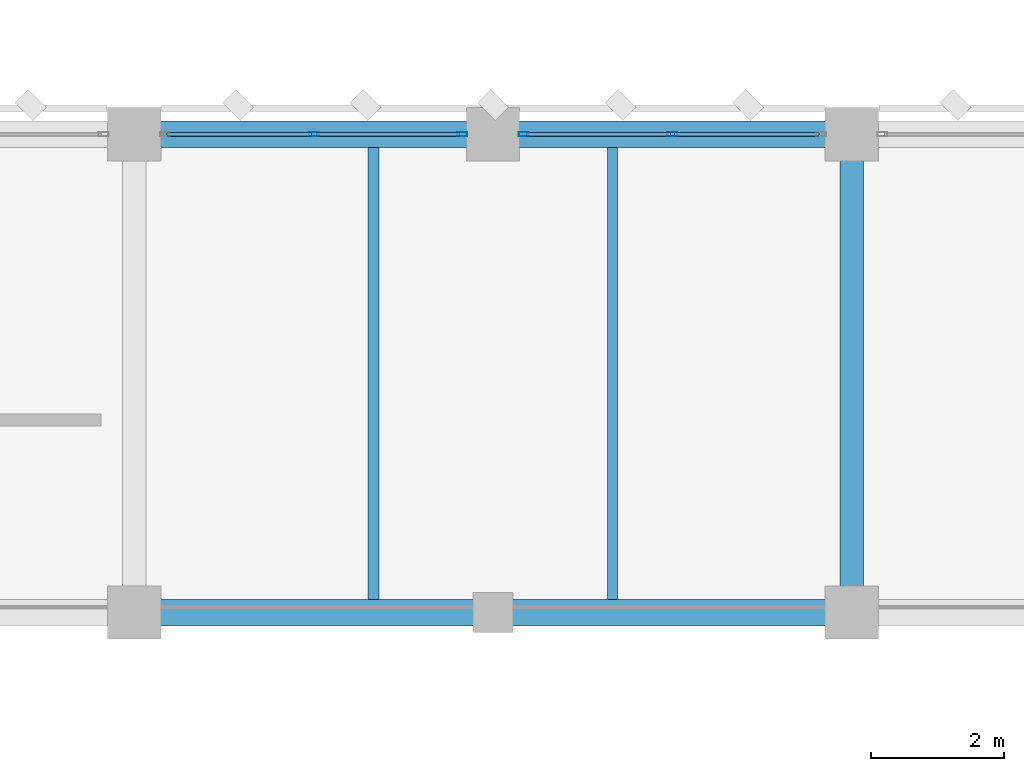
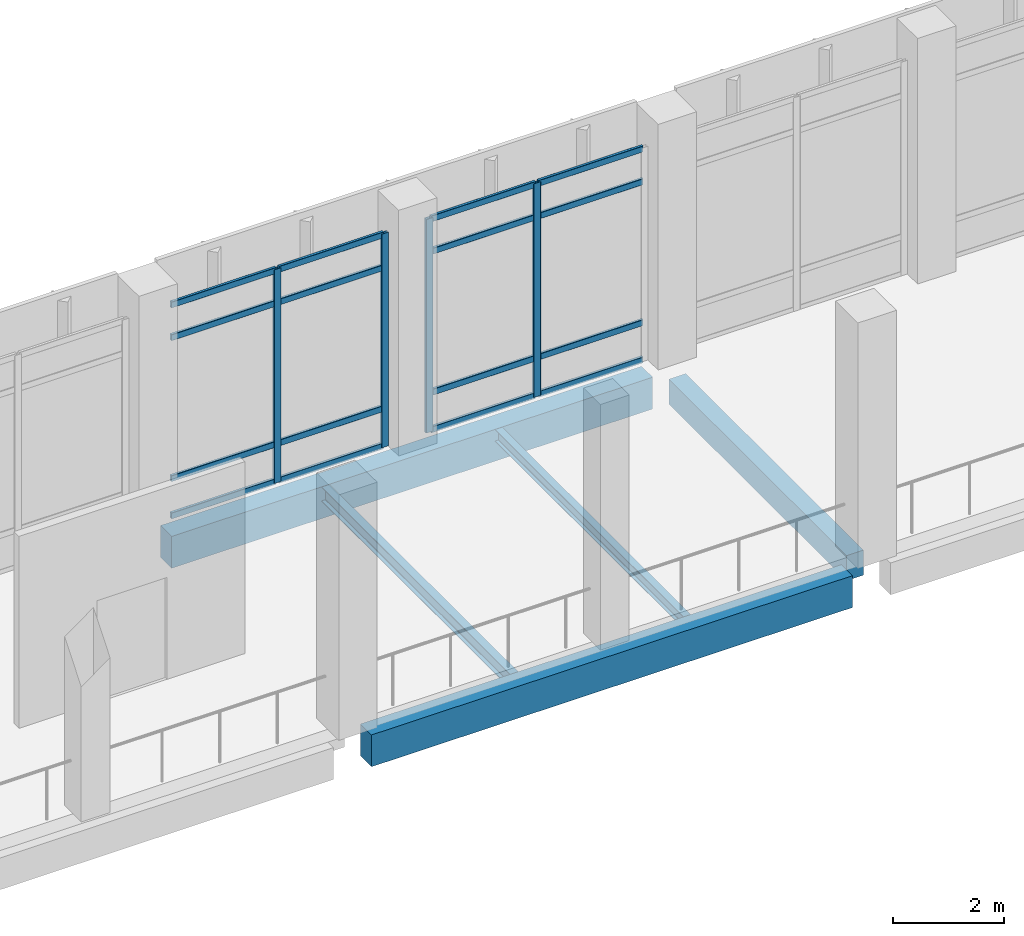
# One storey, part 30 of 180: 20 members, 5 beams, 2 elements without a shape of their own.
"""IFC4 building model written with IfcOpenShell, lengths in metres."""

from ifc_helpers import new_model, si_unit, direction, frame, origin, origin_2d, place, context, subcontext, project, spatial, rectangle, hollow_rectangle, i_section, extrude, material, material_profile, profile_set, type_object, element, aggregate, save


model = new_model("IFC4")

# Units and contexts
model_context = context("Model", 3, precision=1e-05, world=origin(), true_north=direction((0.0, 1.0)))
body_context = subcontext(model_context, "Body", "Model", "MODEL_VIEW")
ifc_project = project(units=[si_unit("LENGTHUNIT", "METRE"), si_unit("AREAUNIT", "SQUARE_METRE"), si_unit("VOLUMEUNIT", "CUBIC_METRE"), si_unit("PLANEANGLEUNIT", "RADIAN"), si_unit("MASSUNIT", "GRAM", prefix="KILO")], contexts=[model_context])

# Site, building, storey
site_placement = place(None, origin())
site = spatial("IfcSite", under=ifc_project, at=site_placement, CompositionType="ELEMENT")
building_placement = place(site_placement, origin())
building = spatial("IfcBuilding", under=site, at=building_placement, Name="Lusvemor Sports Hall", CompositionType="ELEMENT")
storey_placement = place(building_placement, frame((0.0, 0.0, 5.39990234375)))
storey = spatial("IfcBuildingStorey", under=building, at=storey_placement, Name="L01", CompositionType="ELEMENT", Elevation=5.39990234375)

# Beam
ifc_material_1 = material(Name="Concrete C40/50", Category="concrete")
ifc_material_profile_1 = material_profile(ifc_material_1, rectangle(XDim=0.35009765625, YDim=0.550048828125, at=origin_2d()), Name="RC350x550")
ifc_profile_set_1 = profile_set([ifc_material_profile_1], Name="Concrete C40/50")
beam_type_1 = type_object("IfcBeamType", Name="BEAM_RC_550", PredefinedType="BEAM", material=ifc_profile_set_1)
beam_1_placement = place(storey_placement, frame((54.0, 39.99609375, -0.554931640625), z_axis=(0.0, 1.0, 0.0), x_axis=(-1.0, 0.0, 0.0)))
element("IfcBeam", 1, at=beam_1_placement, inside=storey, type_object=beam_type_1, Name="Beam L01 6:E-F", PredefinedType="BEAM", context=body_context, shape_type="SweptSolid", body=[
    extrude(rectangle(XDim=0.35009765625, YDim=0.550048828125, at=origin_2d()), origin(), (0.0, 0.0, 1.0), 6.407958984375),
])

# Curtain wall, members
ifc_material_2 = material(Name="Thermally broken bronze-anodized aluminium", Category="aluminium")
curtain_wall_type = type_object("IfcCurtainWallType", Name="CW_COURT_C", PredefinedType="NOTDEFINED", material=ifc_material_2)
curtain_wall_1_placement = place(storey_placement, origin())
curtain_wall_1 = element("IfcCurtainWall", 2, at=curtain_wall_1_placement, inside=storey, type_object=curtain_wall_type, Name="Curtain Wall CW-V1N-L01-4-A", PredefinedType="NOTDEFINED")
ifc_material_3 = material(Name="Thermally broken bronze-anodized aluminium", Category="aluminium")
ifc_material_profile_2 = material_profile(ifc_material_3, hollow_rectangle(XDim=0.06494140625, YDim=0.14990234375, WallThickness=0.00390625, InnerFilletRadius=0.00390625, OuterFilletRadius=0.008056640625, at=origin_2d()), Name="CWMUL150x65x4")
ifc_profile_set_2 = profile_set([ifc_material_profile_2], Name="Thermally broken bronze-anodized aluminium")
member_type_1 = type_object("IfcMemberType", Name="CW_MUL_B", PredefinedType="MULLION", material=ifc_profile_set_2)
member_1_placement = place(storey_placement, frame((45.89990234375, 46.800048828125, 0.0), z_axis=(0.0, 0.0, 1.0), x_axis=(0.0, 1.0, 0.0)))
member_1 = element("IfcMember", 3, at=member_1_placement, type_object=member_type_1, Name="CW03 mullion 2", PredefinedType="MULLION", context=body_context, shape_type="SweptSolid", body=[
    extrude(hollow_rectangle(XDim=0.06494140625, YDim=0.14990234375, WallThickness=0.00390625, InnerFilletRadius=0.00390625, OuterFilletRadius=0.008056640625, at=origin_2d()), origin(), (0.0, 0.0, 1.0), 4.7001953125),
])
member_2_placement = place(storey_placement, frame((48.137451171875, 46.800048828125, 0.0), z_axis=(0.0, 0.0, 1.0), x_axis=(0.0, 1.0, 0.0)))
member_2 = element("IfcMember", 4, at=member_2_placement, type_object=member_type_1, Name="CW03 mullion 3", PredefinedType="MULLION", context=body_context, shape_type="SweptSolid", body=[
    extrude(hollow_rectangle(XDim=0.06494140625, YDim=0.14990234375, WallThickness=0.00390625, InnerFilletRadius=0.00390625, OuterFilletRadius=0.008056640625, at=origin_2d()), origin(), (0.0, 0.0, 1.0), 4.7001953125),
])

curtain_wall_2_placement = place(storey_placement, origin())
curtain_wall_2 = element("IfcCurtainWall", 5, at=curtain_wall_2_placement, inside=storey, type_object=curtain_wall_type, Name="Curtain Wall CW-V1N-L01-4-B", PredefinedType="NOTDEFINED")
member_3_placement = place(storey_placement, frame((49.0625, 46.800048828125, 0.0), z_axis=(0.0, 0.0, 1.0), x_axis=(0.0, 1.0, 0.0)))
member_3 = element("IfcMember", 6, at=member_3_placement, type_object=member_type_1, Name="CW03 mullion 1", PredefinedType="MULLION", context=body_context, shape_type="SweptSolid", body=[
    extrude(hollow_rectangle(XDim=0.06494140625, YDim=0.14990234375, WallThickness=0.00390625, InnerFilletRadius=0.00390625, OuterFilletRadius=0.008056640625, at=origin_2d()), origin(), (0.0, 0.0, 1.0), 4.7001953125),
])
member_4_placement = place(storey_placement, frame((51.300048828125, 46.800048828125, 0.0), z_axis=(0.0, 0.0, 1.0), x_axis=(0.0, 1.0, 0.0)))
member_4 = element("IfcMember", 7, at=member_4_placement, type_object=member_type_1, Name="CW03 mullion 2", PredefinedType="MULLION", context=body_context, shape_type="SweptSolid", body=[
    extrude(hollow_rectangle(XDim=0.06494140625, YDim=0.14990234375, WallThickness=0.00390625, InnerFilletRadius=0.00390625, OuterFilletRadius=0.008056640625, at=origin_2d()), origin(), (0.0, 0.0, 1.0), 4.7001953125),
])

# Member
ifc_material_4 = material(Name="Thermally broken bronze-anodized aluminium", Category="aluminium")
ifc_material_profile_3 = material_profile(ifc_material_4, hollow_rectangle(XDim=0.06005859375, YDim=0.135009765625, WallThickness=0.00390625, InnerFilletRadius=0.00390625, OuterFilletRadius=0.008056640625, at=origin_2d()), Name="CWTRN135x60x4")
ifc_profile_set_3 = profile_set([ifc_material_profile_3], Name="Thermally broken bronze-anodized aluminium")
member_type_2 = type_object("IfcMemberType", Name="CW_TRN_B", PredefinedType="USERDEFINED", material=ifc_profile_set_3)
member_5_placement = place(storey_placement, frame((43.695068359375, 46.800048828125, 0.030029296875), z_axis=(1.0, 0.0, 0.0), x_axis=(0.0, 1.0, 0.0)))
member_5 = element("IfcMember", 8, at=member_5_placement, type_object=member_type_2, Name="CW03 transom 1.1", ObjectType="TRANSOM", PredefinedType="USERDEFINED", context=body_context, shape_type="SweptSolid", body=[
    extrude(hollow_rectangle(XDim=0.06005859375, YDim=0.135009765625, WallThickness=0.00390625, InnerFilletRadius=0.00390625, OuterFilletRadius=0.008056640625, at=origin_2d()), origin(), (0.0, 0.0, 1.0), 2.17236328125),
])

member_6_placement = place(storey_placement, frame((43.695068359375, 46.800048828125, 0.85009765625), z_axis=(1.0, 0.0, 0.0), x_axis=(0.0, 1.0, 0.0)))
member_6 = element("IfcMember", 9, at=member_6_placement, type_object=member_type_2, Name="CW03 transom 1.2", ObjectType="TRANSOM", PredefinedType="USERDEFINED", context=body_context, shape_type="SweptSolid", body=[
    extrude(hollow_rectangle(XDim=0.06005859375, YDim=0.135009765625, WallThickness=0.00390625, InnerFilletRadius=0.00390625, OuterFilletRadius=0.008056640625, at=origin_2d()), origin(), (0.0, 0.0, 1.0), 2.17236328125),
])

member_7_placement = place(storey_placement, frame((43.695068359375, 46.800048828125, 3.9501953125), z_axis=(1.0, 0.0, 0.0), x_axis=(0.0, 1.0, 0.0)))
member_7 = element("IfcMember", 10, at=member_7_placement, type_object=member_type_2, Name="CW03 transom 1.3", ObjectType="TRANSOM", PredefinedType="USERDEFINED", context=body_context, shape_type="SweptSolid", body=[
    extrude(hollow_rectangle(XDim=0.06005859375, YDim=0.135009765625, WallThickness=0.00390625, InnerFilletRadius=0.00390625, OuterFilletRadius=0.008056640625, at=origin_2d()), origin(), (0.0, 0.0, 1.0), 2.17236328125),
])

member_8_placement = place(storey_placement, frame((43.695068359375, 46.800048828125, 4.670166015625), z_axis=(1.0, 0.0, 0.0), x_axis=(0.0, 1.0, 0.0)))
member_8 = element("IfcMember", 11, at=member_8_placement, type_object=member_type_2, Name="CW03 transom 1.4", ObjectType="TRANSOM", PredefinedType="USERDEFINED", context=body_context, shape_type="SweptSolid", body=[
    extrude(hollow_rectangle(XDim=0.06005859375, YDim=0.135009765625, WallThickness=0.00390625, InnerFilletRadius=0.00390625, OuterFilletRadius=0.008056640625, at=origin_2d()), origin(), (0.0, 0.0, 1.0), 2.17236328125),
])

member_9_placement = place(storey_placement, frame((45.9326171875, 46.800048828125, 0.030029296875), z_axis=(1.0, 0.0, 0.0), x_axis=(0.0, 1.0, 0.0)))
member_9 = element("IfcMember", 12, at=member_9_placement, type_object=member_type_2, Name="CW03 transom 2.1", ObjectType="TRANSOM", PredefinedType="USERDEFINED", context=body_context, shape_type="SweptSolid", body=[
    extrude(hollow_rectangle(XDim=0.06005859375, YDim=0.135009765625, WallThickness=0.00390625, InnerFilletRadius=0.00390625, OuterFilletRadius=0.008056640625, at=origin_2d()), origin(), (0.0, 0.0, 1.0), 2.17236328125),
])

member_10_placement = place(storey_placement, frame((45.9326171875, 46.800048828125, 0.85009765625), z_axis=(1.0, 0.0, 0.0), x_axis=(0.0, 1.0, 0.0)))
member_10 = element("IfcMember", 13, at=member_10_placement, type_object=member_type_2, Name="CW03 transom 2.2", ObjectType="TRANSOM", PredefinedType="USERDEFINED", context=body_context, shape_type="SweptSolid", body=[
    extrude(hollow_rectangle(XDim=0.06005859375, YDim=0.135009765625, WallThickness=0.00390625, InnerFilletRadius=0.00390625, OuterFilletRadius=0.008056640625, at=origin_2d()), origin(), (0.0, 0.0, 1.0), 2.17236328125),
])

member_11_placement = place(storey_placement, frame((45.9326171875, 46.800048828125, 3.9501953125), z_axis=(1.0, 0.0, 0.0), x_axis=(0.0, 1.0, 0.0)))
member_11 = element("IfcMember", 14, at=member_11_placement, type_object=member_type_2, Name="CW03 transom 2.3", ObjectType="TRANSOM", PredefinedType="USERDEFINED", context=body_context, shape_type="SweptSolid", body=[
    extrude(hollow_rectangle(XDim=0.06005859375, YDim=0.135009765625, WallThickness=0.00390625, InnerFilletRadius=0.00390625, OuterFilletRadius=0.008056640625, at=origin_2d()), origin(), (0.0, 0.0, 1.0), 2.17236328125),
])

member_12_placement = place(storey_placement, frame((45.9326171875, 46.800048828125, 4.670166015625), z_axis=(1.0, 0.0, 0.0), x_axis=(0.0, 1.0, 0.0)))
member_12 = element("IfcMember", 15, at=member_12_placement, type_object=member_type_2, Name="CW03 transom 2.4", ObjectType="TRANSOM", PredefinedType="USERDEFINED", context=body_context, shape_type="SweptSolid", body=[
    extrude(hollow_rectangle(XDim=0.06005859375, YDim=0.135009765625, WallThickness=0.00390625, InnerFilletRadius=0.00390625, OuterFilletRadius=0.008056640625, at=origin_2d()), origin(), (0.0, 0.0, 1.0), 2.17236328125),
])

aggregate(curtain_wall_1, [member_1, member_2, member_5, member_6, member_7, member_8, member_9, member_10, member_11, member_12])

member_13_placement = place(storey_placement, frame((49.094970703125, 46.800048828125, 0.030029296875), z_axis=(1.0, 0.0, 0.0), x_axis=(0.0, 1.0, 0.0)))
member_13 = element("IfcMember", 16, at=member_13_placement, type_object=member_type_2, Name="CW03 transom 1.1", ObjectType="TRANSOM", PredefinedType="USERDEFINED", context=body_context, shape_type="SweptSolid", body=[
    extrude(hollow_rectangle(XDim=0.06005859375, YDim=0.135009765625, WallThickness=0.00390625, InnerFilletRadius=0.00390625, OuterFilletRadius=0.008056640625, at=origin_2d()), origin(), (0.0, 0.0, 1.0), 2.172607421875),
])

member_14_placement = place(storey_placement, frame((49.094970703125, 46.800048828125, 0.85009765625), z_axis=(1.0, 0.0, 0.0), x_axis=(0.0, 1.0, 0.0)))
member_14 = element("IfcMember", 17, at=member_14_placement, type_object=member_type_2, Name="CW03 transom 1.2", ObjectType="TRANSOM", PredefinedType="USERDEFINED", context=body_context, shape_type="SweptSolid", body=[
    extrude(hollow_rectangle(XDim=0.06005859375, YDim=0.135009765625, WallThickness=0.00390625, InnerFilletRadius=0.00390625, OuterFilletRadius=0.008056640625, at=origin_2d()), origin(), (0.0, 0.0, 1.0), 2.172607421875),
])

member_15_placement = place(storey_placement, frame((49.094970703125, 46.800048828125, 3.9501953125), z_axis=(1.0, 0.0, 0.0), x_axis=(0.0, 1.0, 0.0)))
member_15 = element("IfcMember", 18, at=member_15_placement, type_object=member_type_2, Name="CW03 transom 1.3", ObjectType="TRANSOM", PredefinedType="USERDEFINED", context=body_context, shape_type="SweptSolid", body=[
    extrude(hollow_rectangle(XDim=0.06005859375, YDim=0.135009765625, WallThickness=0.00390625, InnerFilletRadius=0.00390625, OuterFilletRadius=0.008056640625, at=origin_2d()), origin(), (0.0, 0.0, 1.0), 2.172607421875),
])

member_16_placement = place(storey_placement, frame((49.094970703125, 46.800048828125, 4.670166015625), z_axis=(1.0, 0.0, 0.0), x_axis=(0.0, 1.0, 0.0)))
member_16 = element("IfcMember", 19, at=member_16_placement, type_object=member_type_2, Name="CW03 transom 1.4", ObjectType="TRANSOM", PredefinedType="USERDEFINED", context=body_context, shape_type="SweptSolid", body=[
    extrude(hollow_rectangle(XDim=0.06005859375, YDim=0.135009765625, WallThickness=0.00390625, InnerFilletRadius=0.00390625, OuterFilletRadius=0.008056640625, at=origin_2d()), origin(), (0.0, 0.0, 1.0), 2.172607421875),
])

member_17_placement = place(storey_placement, frame((51.33251953125, 46.800048828125, 0.030029296875), z_axis=(1.0, 0.0, 0.0), x_axis=(0.0, 1.0, 0.0)))
member_17 = element("IfcMember", 20, at=member_17_placement, type_object=member_type_2, Name="CW03 transom 2.1", ObjectType="TRANSOM", PredefinedType="USERDEFINED", context=body_context, shape_type="SweptSolid", body=[
    extrude(hollow_rectangle(XDim=0.06005859375, YDim=0.135009765625, WallThickness=0.00390625, InnerFilletRadius=0.00390625, OuterFilletRadius=0.008056640625, at=origin_2d()), origin(), (0.0, 0.0, 1.0), 2.17236328125),
])

member_18_placement = place(storey_placement, frame((51.33251953125, 46.800048828125, 0.85009765625), z_axis=(1.0, 0.0, 0.0), x_axis=(0.0, 1.0, 0.0)))
member_18 = element("IfcMember", 21, at=member_18_placement, type_object=member_type_2, Name="CW03 transom 2.2", ObjectType="TRANSOM", PredefinedType="USERDEFINED", context=body_context, shape_type="SweptSolid", body=[
    extrude(hollow_rectangle(XDim=0.06005859375, YDim=0.135009765625, WallThickness=0.00390625, InnerFilletRadius=0.00390625, OuterFilletRadius=0.008056640625, at=origin_2d()), origin(), (0.0, 0.0, 1.0), 2.17236328125),
])

member_19_placement = place(storey_placement, frame((51.33251953125, 46.800048828125, 3.9501953125), z_axis=(1.0, 0.0, 0.0), x_axis=(0.0, 1.0, 0.0)))
member_19 = element("IfcMember", 22, at=member_19_placement, type_object=member_type_2, Name="CW03 transom 2.3", ObjectType="TRANSOM", PredefinedType="USERDEFINED", context=body_context, shape_type="SweptSolid", body=[
    extrude(hollow_rectangle(XDim=0.06005859375, YDim=0.135009765625, WallThickness=0.00390625, InnerFilletRadius=0.00390625, OuterFilletRadius=0.008056640625, at=origin_2d()), origin(), (0.0, 0.0, 1.0), 2.17236328125),
])

member_20_placement = place(storey_placement, frame((51.33251953125, 46.800048828125, 4.670166015625), z_axis=(1.0, 0.0, 0.0), x_axis=(0.0, 1.0, 0.0)))
member_20 = element("IfcMember", 23, at=member_20_placement, type_object=member_type_2, Name="CW03 transom 2.4", ObjectType="TRANSOM", PredefinedType="USERDEFINED", context=body_context, shape_type="SweptSolid", body=[
    extrude(hollow_rectangle(XDim=0.06005859375, YDim=0.135009765625, WallThickness=0.00390625, InnerFilletRadius=0.00390625, OuterFilletRadius=0.008056640625, at=origin_2d()), origin(), (0.0, 0.0, 1.0), 2.17236328125),
])

aggregate(curtain_wall_2, [member_3, member_4, member_13, member_14, member_15, member_16, member_17, member_18, member_19, member_20])

# Beams
ifc_material_5 = material(Name="Steel S355", Category="steel")
ifc_material_profile_4 = material_profile(ifc_material_5, i_section(OverallWidth=0.14794921875, OverallDepth=0.26611328125, WebThickness=0.007568359375, FlangeThickness=0.012939453125, FilletRadius=0.012939453125, at=origin_2d()), Name="W250x44.8")
ifc_profile_set_4 = profile_set([ifc_material_profile_4], Name="Steel S355")
beam_type_2 = type_object("IfcBeamType", Name="JOIST_ST_250M", PredefinedType="JOIST", material=ifc_profile_set_4)
beam_2_placement = place(storey_placement, frame((50.39990234375, 39.7958984375, -0.4169921875), z_axis=(0.0, 1.0, 0.0), x_axis=(-1.0, 0.0, 0.0)))
element("IfcBeam", 24, at=beam_2_placement, inside=storey, type_object=beam_type_2, Name="Secondary Joist L01 5-6/E-F #2", PredefinedType="JOIST", context=body_context, shape_type="SweptSolid", body=[
    extrude(i_section(OverallWidth=0.14794921875, OverallDepth=0.26611328125, WebThickness=0.007568359375, FlangeThickness=0.012939453125, FilletRadius=0.012939453125, at=origin_2d()), origin(), (0.0, 0.0, 1.0), 6.80810546875),
])
ifc_material_6 = material(Name="Steel S355", Category="steel")
ifc_material_profile_5 = material_profile(ifc_material_6, i_section(OverallWidth=0.1669921875, OverallDepth=0.31689453125, WebThickness=0.007568359375, FlangeThickness=0.01318359375, FilletRadius=0.014892578125, at=origin_2d()), Name="W310x52.0")
ifc_profile_set_5 = profile_set([ifc_material_profile_5], Name="Steel S355")
beam_type_3 = type_object("IfcBeamType", Name="JOIST_ST_310M", PredefinedType="JOIST", material=ifc_profile_set_5)
beam_3_placement = place(storey_placement, frame((46.800048828125, 39.7958984375, -0.4423828125), z_axis=(0.0, 1.0, 0.0), x_axis=(-1.0, 0.0, 0.0)))
element("IfcBeam", 25, at=beam_3_placement, inside=storey, type_object=beam_type_3, Name="Secondary Joist L01 5-6/E-F #1", PredefinedType="JOIST", context=body_context, shape_type="SweptSolid", body=[
    extrude(i_section(OverallWidth=0.1669921875, OverallDepth=0.31689453125, WebThickness=0.007568359375, FlangeThickness=0.01318359375, FilletRadius=0.014892578125, at=origin_2d()), origin(), (0.0, 0.0, 1.0), 6.80810546875),
])
ifc_material_7 = material(Name="Concrete C40/50", Category="concrete")
ifc_material_profile_6 = material_profile(ifc_material_7, rectangle(XDim=0.39990234375, YDim=0.699951171875, at=origin_2d()), Name="RC400x700")
ifc_profile_set_6 = profile_set([ifc_material_profile_6], Name="Concrete C40/50")
beam_type_4 = type_object("IfcBeamType", Name="SPAND_EXT_700", PredefinedType="SPANDREL", material=ifc_profile_set_6)
for number, where, z_axis, x_axis, name in (
    (26, (43.595947265625, 39.60009765625, -0.6298828125), (1.0, 0.0, 0.0), (0.0, 1.0, 0.0), "Beam L01 E:5-6"),
    (27, (43.595947265625, 46.800048828125, -0.6298828125), (1.0, 0.0, 0.0), (0.0, 1.0, 0.0), "Beam L01 F:5-6"),
):
    element("IfcBeam", number, at=place(storey_placement, frame(where, z_axis=z_axis, x_axis=x_axis)), inside=storey, type_object=beam_type_4, Name=name, PredefinedType="SPANDREL", context=body_context, shape_type="SweptSolid", body=[
        extrude(rectangle(XDim=0.39990234375, YDim=0.699951171875, at=origin_2d()), origin(), (0.0, 0.0, 1.0), 10.008056640625),
    ])

save(model, "model.ifc")
